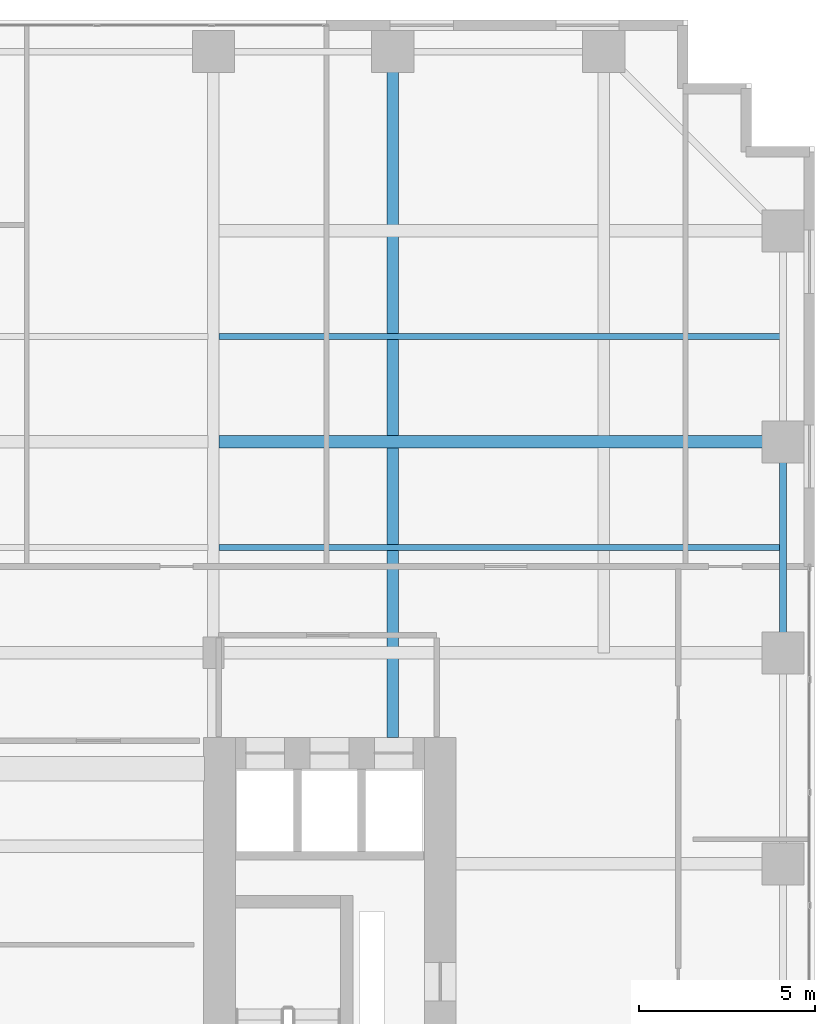
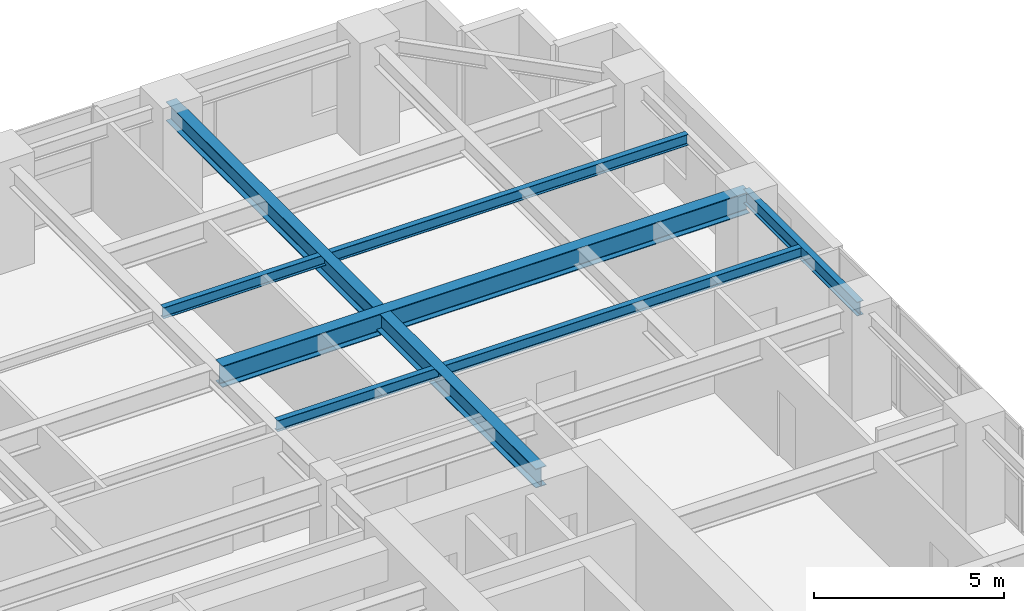
# One storey, part 15 of 24: 5 beams.
"""IFC4 building model written with IfcOpenShell, lengths in metres."""

from ifc_helpers import new_model, si_unit, direction, frame, origin, origin_2d, place, context, subcontext, project, spatial, i_section, extrude, source, transform, mapped, material, material_profile, profile_set, type_object, element, save


model = new_model("IFC4")

# Units and contexts
model_context = context("Model", 3, precision=1e-05, world=origin(), true_north=direction((0.0, 1.0)))
body_context = subcontext(model_context, "Body", "Model", "MODEL_VIEW")
ifc_project = project(units=[si_unit("LENGTHUNIT", "METRE"), si_unit("AREAUNIT", "SQUARE_METRE"), si_unit("VOLUMEUNIT", "CUBIC_METRE"), si_unit("PLANEANGLEUNIT", "RADIAN"), si_unit("MASSUNIT", "GRAM", prefix="KILO")], contexts=[model_context])

# Site, building, storey
site_placement = place(None, origin())
site = spatial("IfcSite", under=ifc_project, at=site_placement, CompositionType="ELEMENT")
building_placement = place(site_placement, origin())
building = spatial("IfcBuilding", under=site, at=building_placement, Name="Khoralis Quay Care Tower", CompositionType="ELEMENT")
storey_placement = place(building_placement, frame((0.0, 0.0, 62.10009765625)))
storey = spatial("IfcBuildingStorey", under=building, at=storey_placement, Name="L16", CompositionType="ELEMENT", Elevation=62.10009765625)

# Beams
ifc_material = material(Name="Steel S355", Category="steel")
ifc_material_profile_1 = material_profile(ifc_material, i_section(OverallWidth=0.18994140625, OverallDepth=0.449951171875, WebThickness=0.009521484375, FlangeThickness=0.0146484375, FilletRadius=0.02099609375, at=origin_2d()), Name="Steel S355")
ifc_profile_set_1 = profile_set([ifc_material_profile_1], Name="Steel S355")
beam_type_1 = type_object("IfcBeamType", Name="BM-IPE450", PredefinedType="SPANDREL", material=ifc_profile_set_1)
shared_shape_1 = source(origin(), body_context, "Body", "SweptSolid", [
    extrude(i_section(OverallWidth=0.18994140625, OverallDepth=0.449951171875, WebThickness=0.009521484375, FlangeThickness=0.0146484375, FilletRadius=0.02099609375, at=origin_2d()), origin(), (0.0, 0.0, 1.0), 6.0),
])
beam_1_placement = place(storey_placement, frame((47.10009765625, 30.0, 3.094970703125), z_axis=(0.0, 1.0, 0.0), x_axis=(-1.0, 0.0, 0.0)))
element("IfcBeam", 1, at=beam_1_placement, inside=storey, type_object=beam_type_1, Name="BM-TSP-L16-23", PredefinedType="SPANDREL", context=body_context, shape_type="MappedRepresentation", body=[
    mapped(shared_shape_1, transform((0.0, 0.0, 0.0), scale=1.0)),
])
ifc_material_profile_2 = material_profile(ifc_material, i_section(OverallWidth=0.35498046875, OverallDepth=0.695068359375, WebThickness=0.015380859375, FlangeThickness=0.02490234375, FilletRadius=0.02001953125, at=origin_2d()), Name="Steel S355")
ifc_profile_set_2 = profile_set([ifc_material_profile_2], Name="Steel S355")
beam_type_2 = type_object("IfcBeamType", Name="BM-W690X217", PredefinedType="BEAM", material=ifc_profile_set_2)
shared_shape_2 = source(origin(), body_context, "Body", "SweptSolid", [
    extrude(i_section(OverallWidth=0.35498046875, OverallDepth=0.695068359375, WebThickness=0.015380859375, FlangeThickness=0.02490234375, FilletRadius=0.02001953125, at=origin_2d()), origin(), (0.0, 0.0, 1.0), 16.049560546875),
])
beam_2_placement = place(storey_placement, frame((31.050537109375, 36.0, 2.972412109375), z_axis=(1.0, 0.0, 0.0), x_axis=(0.0, 1.0, 0.0)))
element("IfcBeam", 2, at=beam_2_placement, inside=storey, type_object=beam_type_2, Name="BM-TGXE-L16-360", PredefinedType="BEAM", context=body_context, shape_type="MappedRepresentation", body=[
    mapped(shared_shape_2, transform((0.0, 0.0, 0.0), scale=1.0)),
])
ifc_material_profile_3 = material_profile(ifc_material, i_section(OverallWidth=0.324951171875, OverallDepth=0.615966796875, WebThickness=0.013916015625, FlangeThickness=0.021484375, FilletRadius=0.01806640625, at=origin_2d()), Name="Steel S355")
ifc_profile_set_3 = profile_set([ifc_material_profile_3], Name="Steel S355")
beam_type_3 = type_object("IfcBeamType", Name="BM-W610X174", PredefinedType="BEAM", material=ifc_profile_set_3)
shared_shape_3 = source(origin(), body_context, "Body", "SweptSolid", [
    extrude(i_section(OverallWidth=0.324951171875, OverallDepth=0.615966796875, WebThickness=0.013916015625, FlangeThickness=0.021484375, FilletRadius=0.01806640625, at=origin_2d()), origin(), (0.0, 0.0, 1.0), 19.502197265625),
])
beam_3_placement = place(storey_placement, frame((36.0, 27.597900390625, 3.011962890625), z_axis=(0.0, 1.0, 0.0), x_axis=(-1.0, 0.0, 0.0)))
element("IfcBeam", 3, at=beam_3_placement, inside=storey, type_object=beam_type_3, Name="BM-TGYN-L16-360", PredefinedType="BEAM", context=body_context, shape_type="MappedRepresentation", body=[
    mapped(shared_shape_3, transform((0.0, 0.0, 0.0), scale=1.0)),
])
ifc_material_profile_4 = material_profile(ifc_material, i_section(OverallWidth=0.1708984375, OverallDepth=0.35498046875, WebThickness=0.007080078125, FlangeThickness=0.01171875, FilletRadius=0.012939453125, at=origin_2d()), Name="Steel S355")
ifc_profile_set_4 = profile_set([ifc_material_profile_4], Name="Steel S355")
beam_type_4 = type_object("IfcBeamType", Name="BM-W360X51", PredefinedType="JOIST", material=ifc_profile_set_4)
shared_shape_4 = source(origin(), body_context, "Body", "SweptSolid", [
    extrude(i_section(OverallWidth=0.1708984375, OverallDepth=0.35498046875, WebThickness=0.007080078125, FlangeThickness=0.01171875, FilletRadius=0.012939453125, at=origin_2d()), origin(), (0.0, 0.0, 1.0), 15.968505859375),
])
for number, where, z_axis, x_axis, name in (
    (4, (31.050537109375, 33.0, 3.142333984375), (1.0, 0.0, 0.0), (0.0, 1.0, 0.0), "BM-TJS-L16-33"),
    (5, (31.050537109375, 39.0, 3.142333984375), (1.0, 0.0, 0.0), (0.0, 1.0, 0.0), "BM-TJS-L16-36"),
):
    element("IfcBeam", number, at=place(storey_placement, frame(where, z_axis=z_axis, x_axis=x_axis)), inside=storey, type_object=beam_type_4, Name=name, PredefinedType="JOIST", context=body_context, shape_type="MappedRepresentation", body=[
        mapped(shared_shape_4, transform((0.0, 0.0, 0.0), scale=1.0)),
    ])

save(model, "model.ifc")
